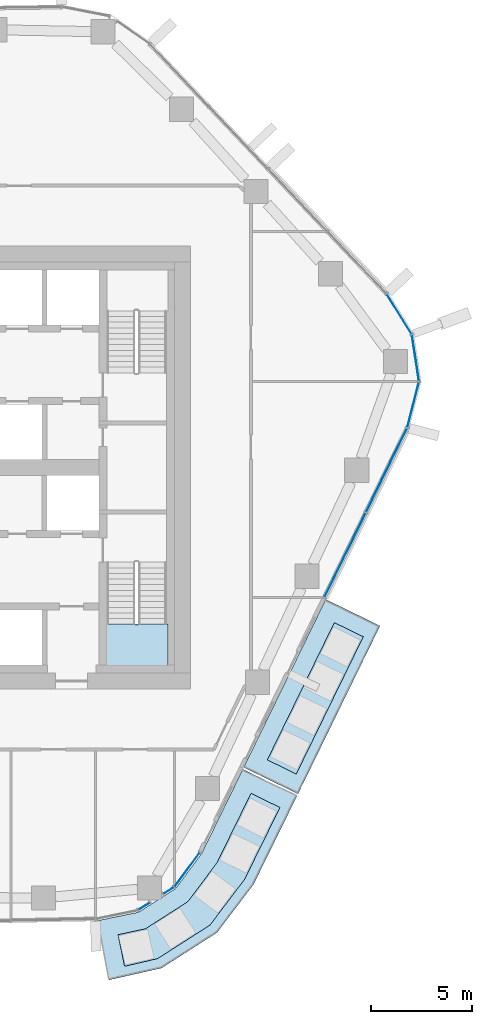
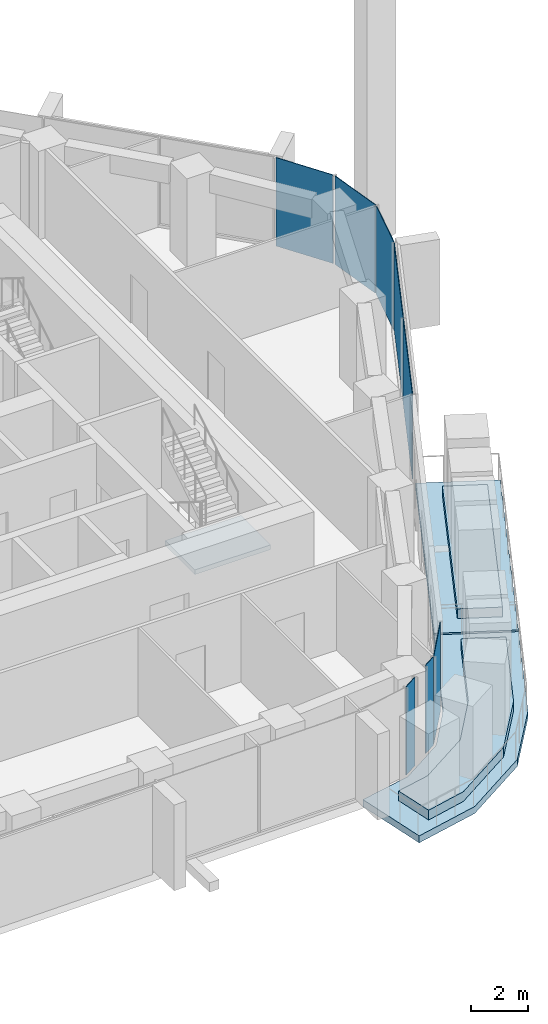
# One storey, part 10 of 18: 8 plates, 5 slabs, 5 elements without a shape of their own.
"""IFC4 building model written with IfcOpenShell, lengths in metres."""

from ifc_helpers import new_model, si_unit, direction, frame, origin, origin_2d, place, context, subcontext, project, spatial, polyline, rectangle, outline, extrude, material, layer, layer_set, type_object, element, aggregate, save


model = new_model("IFC4")

# Units and contexts
model_context = context("Model", 3, precision=1e-05, world=origin(), true_north=direction((0.0, 1.0)))
body_context = subcontext(model_context, "Body", "Model", "MODEL_VIEW")
ifc_project = project(units=[si_unit("LENGTHUNIT", "METRE"), si_unit("AREAUNIT", "SQUARE_METRE"), si_unit("VOLUMEUNIT", "CUBIC_METRE"), si_unit("PLANEANGLEUNIT", "RADIAN"), si_unit("MASSUNIT", "GRAM", prefix="KILO")], contexts=[model_context])

# Site, building, storey
site_placement = place(None, origin())
site = spatial("IfcSite", under=ifc_project, at=site_placement, CompositionType="ELEMENT")
building_placement = place(site_placement, origin())
building = spatial("IfcBuilding", under=site, at=building_placement, Name="Dongbaek Canopy Tower", CompositionType="ELEMENT")
storey_placement = place(building_placement, frame((0.0, 0.0, 158.60009765625)))
storey = spatial("IfcBuildingStorey", under=building, at=storey_placement, Name="L34", CompositionType="ELEMENT", Elevation=158.60009765625)

# Slabs
ifc_material_1 = material(Name="Concrete C40/50", Category="concrete")
ifc_layer_1 = layer(ifc_material_1, 0.300048828125)
ifc_layer_set_1 = layer_set([ifc_layer_1], Name="Balcony slab 300")
slab_type_1 = type_object("IfcSlabType", Name="Balcony slab 300", PredefinedType="FLOOR", material=ifc_layer_set_1)
slab_1_placement = place(storey_placement, frame((0.0, 0.0, -0.300048828125)))
element("IfcSlab", 1, at=slab_1_placement, inside=storey, type_object=slab_type_1, Name="Balcony L34 2", PredefinedType="FLOOR", context=body_context, shape_type="SweptSolid", body=[
    extrude(outline(polyline([(16.64453125, -14.889892578125), (20.717041015625, -6.546875), (23.4130859375, -7.86279296875), (19.34033203125, -16.2060546875), (16.64453125, -14.889892578125)])), origin(), (0.0, 0.0, 1.0), 0.300048828125),
])
slab_2_placement = place(storey_placement, frame((0.0, 0.0, -0.300048828125)))
element("IfcSlab", 2, at=slab_2_placement, inside=storey, type_object=slab_type_1, Name="Balcony L34 4", PredefinedType="FLOOR", context=body_context, shape_type="SweptSolid", body=[
    extrude(outline(polyline([(9.344482421875, -22.508056640625), (11.4306640625, -22.078125), (13.267822265625, -20.904296875), (14.564208984375, -19.1513671875), (16.6005859375, -14.979736328125), (19.296630859375, -16.2958984375), (17.12890625, -20.707763671875), (15.315673828125, -23.0966796875), (12.559814453125, -24.857666015625), (9.949951171875, -25.4462890625), (9.344482421875, -22.508056640625)])), origin(), (0.0, 0.0, 1.0), 0.300048828125),
])

# Curtain wall, plates
ifc_material_2 = material(Name="Aluminium 6063-T6 pale anodised", Category="aluminium")
ifc_layer_2 = layer(ifc_material_2, 0.199951171875)
ifc_layer_set_2 = layer_set([ifc_layer_2], Name="CW-1 unitised tower curtain wall")
curtain_wall_type = type_object("IfcCurtainWallType", Name="CW-1 unitised tower curtain wall", PredefinedType="NOTDEFINED", material=ifc_layer_set_2)
curtain_wall_1_placement = place(storey_placement, origin())
curtain_wall_1 = element("IfcCurtainWall", 3, at=curtain_wall_1_placement, inside=storey, type_object=curtain_wall_type, Name="CW-1 curtain wall K0.1", PredefinedType="NOTDEFINED")
ifc_material_3 = material(Name="Clear laminated glass", Category="glass")
ifc_layer_3 = layer(ifc_material_3, 0.028076171875)
ifc_layer_set_3 = layer_set([ifc_layer_3], Name="CW-1 glazed panel 28")
plate_type = type_object("IfcPlateType", Name="CW-1 glazed panel 28", PredefinedType="CURTAIN_PANEL", material=ifc_layer_set_3)
plate_1_placement = place(storey_placement, frame((25.0576171875, 3.11767578125, 0.0), z_axis=(0.0, 0.0, 1.0), x_axis=(0.249304611313, 0.968425118829, 0.0)))
plate_1 = element("IfcPlate", 4, at=plate_1_placement, type_object=plate_type, Name="CW-1 panel K0.1.1.1", PredefinedType="CURTAIN_PANEL", context=body_context, shape_type="SweptSolid", body=[
    extrude(rectangle(XDim=2.294677734375, YDim=0.028076171875, at=origin_2d()), origin(), (0.0, 0.0, 1.0), 3.820068359375),
])
plate_2_placement = place(storey_placement, frame((25.174560546875, 5.43994140625, 0.0), z_axis=(0.0, 0.0, 1.0), x_axis=(-0.151749532381, 0.988418979695, 0.0)))
plate_2 = element("IfcPlate", 5, at=plate_2_placement, type_object=plate_type, Name="CW-1 panel K0.1.2.1", PredefinedType="CURTAIN_PANEL", context=body_context, shape_type="SweptSolid", body=[
    extrude(rectangle(XDim=2.284423828125, YDim=0.028076171875, at=origin_2d()), origin(), (0.0, 0.0, 1.0), 3.820068359375),
])
plate_3_placement = place(storey_placement, frame((24.366455078125, 7.6201171875, 0.0), z_axis=(0.0, 0.0, 1.0), x_axis=(-0.528334947063, 0.849036032046, 0.0)))
plate_3 = element("IfcPlate", 6, at=plate_3_placement, type_object=plate_type, Name="CW-1 panel K0.1.3.1", PredefinedType="CURTAIN_PANEL", context=body_context, shape_type="SweptSolid", body=[
    extrude(rectangle(XDim=2.294677734375, YDim=0.028076171875, at=origin_2d()), origin(), (0.0, 0.0, 1.0), 3.820068359375),
])
aggregate(curtain_wall_1, [plate_1, plate_2, plate_3])

# Curtain wall, plate
curtain_wall_2_placement = place(storey_placement, origin())
curtain_wall_2 = element("IfcCurtainWall", 7, at=curtain_wall_2_placement, inside=storey, type_object=curtain_wall_type, Name="CW-1 curtain wall K5.1a", PredefinedType="NOTDEFINED")
plate_4_placement = place(storey_placement, frame((11.697265625, -21.789306640625, 0.0), z_axis=(0.0, 0.0, 1.0), x_axis=(0.842655564511, 0.538452968789, 0.0)))
plate_4 = element("IfcPlate", 8, at=plate_4_placement, type_object=plate_type, Name="CW-1 panel K5.1a.2.1", PredefinedType="CURTAIN_PANEL", context=body_context, shape_type="SweptSolid", body=[
    extrude(rectangle(XDim=0.63916015625, YDim=0.028076171875, at=origin_2d()), origin(), (0.0, 0.0, 1.0), 3.820068359375),
])
aggregate(curtain_wall_2, [plate_4])

# Curtain wall, plates
curtain_wall_3_placement = place(storey_placement, origin())
curtain_wall_3 = element("IfcCurtainWall", 9, at=curtain_wall_3_placement, inside=storey, type_object=curtain_wall_type, Name="CW-1 curtain wall K5.1b", PredefinedType="NOTDEFINED")
plate_5_placement = place(storey_placement, frame((12.920166015625, -21.0078125, 0.0), z_axis=(0.0, 0.0, 1.0), x_axis=(0.842655564511, 0.538452968789, 0.0)))
plate_5 = element("IfcPlate", 10, at=plate_5_placement, type_object=plate_type, Name="CW-1 panel K5.1b.1.1", PredefinedType="CURTAIN_PANEL", context=body_context, shape_type="SweptSolid", body=[
    extrude(rectangle(XDim=0.576416015625, YDim=0.028076171875, at=origin_2d()), origin(), (0.0, 0.0, 1.0), 3.820068359375),
])
plate_6_placement = place(storey_placement, frame((13.83837890625, -19.964599609375, 0.0), z_axis=(0.0, 0.0, 1.0), x_axis=(0.594631213935, 0.803998581724, 0.0)))
plate_6 = element("IfcPlate", 11, at=plate_6_placement, type_object=plate_type, Name="CW-1 panel K5.1b.2.1", PredefinedType="CURTAIN_PANEL", context=body_context, shape_type="SweptSolid", body=[
    extrude(rectangle(XDim=2.068603515625, YDim=0.028076171875, at=origin_2d()), origin(), (0.0, 0.0, 1.0), 3.820068359375),
])
aggregate(curtain_wall_3, [plate_5, plate_6])

curtain_wall_4_placement = place(storey_placement, origin())
curtain_wall_4 = element("IfcCurtainWall", 12, at=curtain_wall_4_placement, inside=storey, type_object=curtain_wall_type, Name="CW-1 curtain wall F5.1", PredefinedType="NOTDEFINED")
plate_7_placement = place(storey_placement, frame((21.67822265625, -4.349853515625, 0.1201171875), z_axis=(0.0, 0.0, 1.0), x_axis=(0.438664685403, 0.898650818606, 0.0)))
plate_7 = element("IfcPlate", 13, at=plate_7_placement, type_object=plate_type, Name="CW-1 panel F5.1.1.1", PredefinedType="CURTAIN_PANEL", context=body_context, shape_type="SweptSolid", body=[
    extrude(rectangle(XDim=4.608154296875, YDim=0.028076171875, at=origin_2d()), origin(), (0.0, 0.0, 1.0), 3.699951171875),
])
plate_8_placement = place(storey_placement, frame((23.734130859375, -0.1376953125, 0.1201171875), z_axis=(0.0, 0.0, 1.0), x_axis=(0.438664685403, 0.898650818606, 0.0)))
plate_8 = element("IfcPlate", 14, at=plate_8_placement, type_object=plate_type, Name="CW-1 panel F5.1.2.1", PredefinedType="CURTAIN_PANEL", context=body_context, shape_type="SweptSolid", body=[
    extrude(rectangle(XDim=4.597900390625, YDim=0.028076171875, at=origin_2d()), origin(), (0.0, 0.0, 1.0), 3.699951171875),
])
aggregate(curtain_wall_4, [plate_7, plate_8])

# Stair, slab
ifc_material_4 = material(Name="Concrete C40/50", Category="concrete")
stair_type = type_object("IfcStairType", Name="Core exit stair", PredefinedType="HALF_TURN_STAIR", material=ifc_material_4)
stair_placement = place(storey_placement, origin())
stair = element("IfcStair", 15, at=stair_placement, inside=storey, type_object=stair_type, Name="L34 exit stair B", PredefinedType="HALF_TURN_STAIR")
ifc_material_5 = material(Name="Concrete C40/50", Category="concrete")
ifc_layer_4 = layer(ifc_material_5, 0.199951171875)
ifc_layer_set_4 = layer_set([ifc_layer_4], Name="Core stair landing 200")
slab_type_2 = type_object("IfcSlabType", Name="Core stair landing 200", PredefinedType="LANDING", material=ifc_layer_set_4)
slab_3_placement = place(storey_placement, frame((0.0, 0.0, 1.89990234375)))
slab_3 = element("IfcSlab", 16, at=slab_3_placement, type_object=slab_type_2, Name="ST-B landing 1", PredefinedType="LANDING", context=body_context, shape_type="SweptSolid", body=[
    extrude(outline(polyline([(9.77490234375, -7.780029296875), (9.77490234375, -9.875), (12.875, -9.875), (12.875, -7.780029296875), (9.77490234375, -7.780029296875)])), origin(), (0.0, 0.0, 1.0), 0.199951171875),
])
aggregate(stair, [slab_3])

# Slabs
ifc_material_6 = material(Name="Reinforced concrete C40/50 planter box with soil", Category="concrete")
ifc_layer_5 = layer(ifc_material_6, 0.419921875)
ifc_layer_set_5 = layer_set([ifc_layer_5], Name="Terrace planter box 1600 x 420")
slab_type_3 = type_object("IfcSlabType", Name="Terrace planter box 1600 x 420", PredefinedType="USERDEFINED", material=ifc_layer_set_5)
slab_4_placement = place(storey_placement, origin())
element("IfcSlab", 17, at=slab_4_placement, inside=storey, type_object=slab_type_3, Name="Balcony planter L34 2", ObjectType="PLANTER", PredefinedType="USERDEFINED", context=body_context, shape_type="SweptSolid", body=[
    extrude(outline(polyline([(17.817138671875, -14.5166015625), (21.14404296875, -7.701171875), (22.581787109375, -8.40283203125), (19.2548828125, -15.218505859375), (17.817138671875, -14.5166015625)])), origin(), (0.0, 0.0, 1.0), 0.419921875),
])
slab_5_placement = place(storey_placement, origin())
element("IfcSlab", 18, at=slab_5_placement, inside=storey, type_object=slab_type_3, Name="Balcony planter L34 4", ObjectType="PLANTER", PredefinedType="USERDEFINED", context=body_context, shape_type="SweptSolid", body=[
    extrude(outline(polyline([(10.405517578125, -23.1982421875), (11.765625, -22.90283203125), (13.875244140625, -21.5546875), (15.3251953125, -19.61328125), (17.005615234375, -16.178955078125), (18.443359375, -16.880859375), (16.69287109375, -20.443359375), (14.967529296875, -22.723876953125), (12.367919921875, -24.385009765625), (10.728515625, -24.76513671875), (10.405517578125, -23.1982421875)])), origin(), (0.0, 0.0, 1.0), 0.419921875),
])

save(model, "model.ifc")
